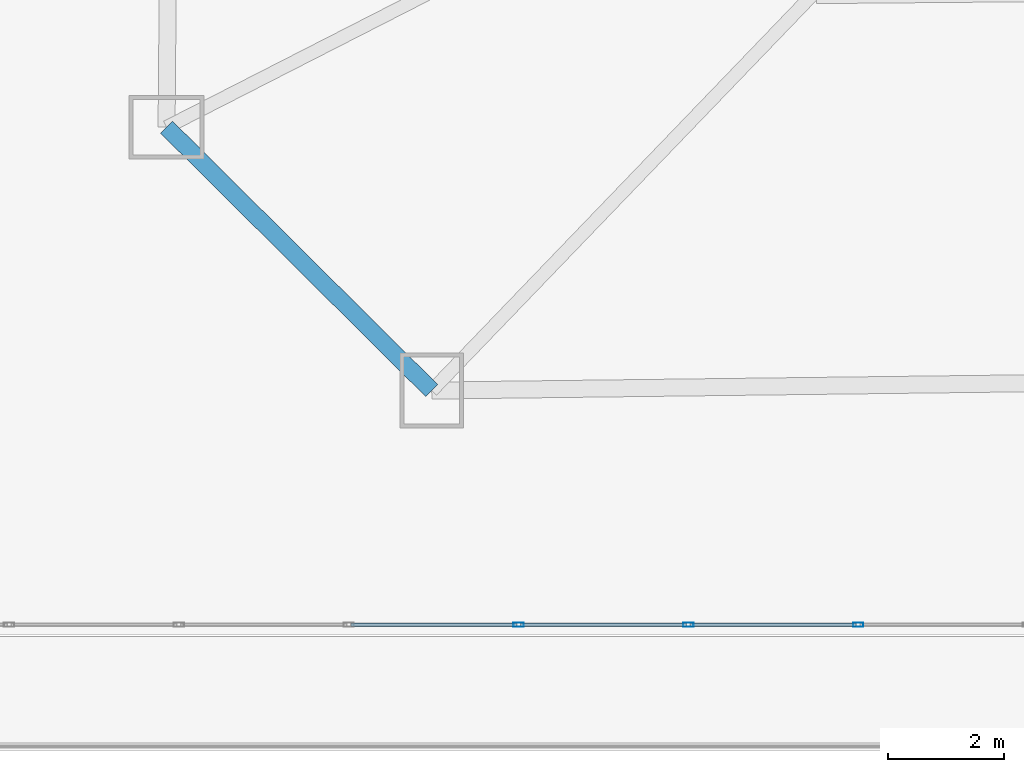
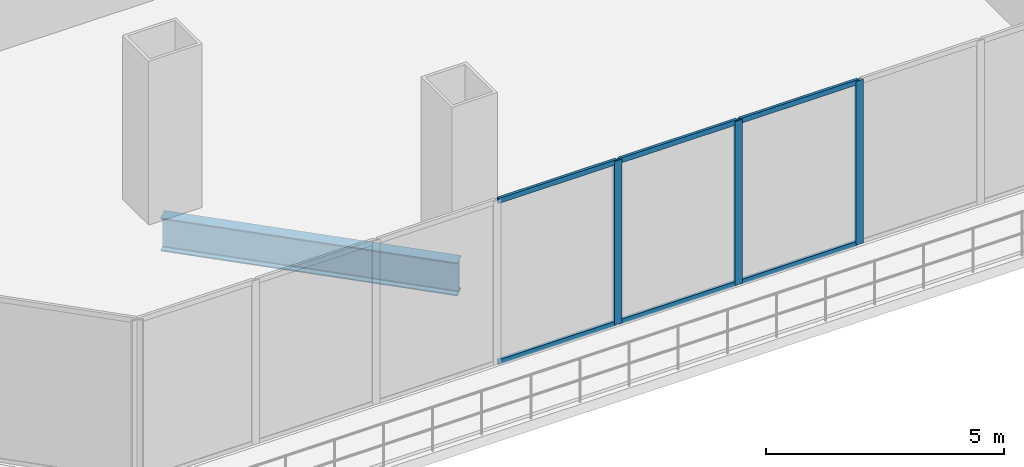
# One storey, part 3 of 31: 9 members, 1 beam, 1 element without a shape of its own.
"""IFC4 building model written with IfcOpenShell, lengths in metres."""

from ifc_helpers import new_model, si_unit, direction, frame, origin, origin_2d, place, context, subcontext, project, spatial, hollow_rectangle, i_section, extrude, material, layer, layer_set, material_profile, profile_set, type_object, element, aggregate, save


model = new_model("IFC4")

# Units and contexts
model_context = context("Model", 3, precision=1e-05, world=origin(), true_north=direction((0.0, 1.0)))
body_context = subcontext(model_context, "Body", "Model", "MODEL_VIEW")
ifc_project = project(units=[si_unit("LENGTHUNIT", "METRE"), si_unit("AREAUNIT", "SQUARE_METRE"), si_unit("VOLUMEUNIT", "CUBIC_METRE"), si_unit("PLANEANGLEUNIT", "RADIAN"), si_unit("MASSUNIT", "GRAM", prefix="KILO")], contexts=[model_context])

# Site, building, storey
site_placement = place(None, origin())
site = spatial("IfcSite", under=ifc_project, at=site_placement, CompositionType="ELEMENT")
building_placement = place(site_placement, origin())
building = spatial("IfcBuilding", under=site, at=building_placement, Name="Caelvoria Tower", CompositionType="ELEMENT")
storey_placement = place(building_placement, frame((0.0, 0.0, 9.5)))
storey = spatial("IfcBuildingStorey", under=building, at=storey_placement, Name="L02", CompositionType="ELEMENT", Elevation=9.5)

# Curtain wall, members
ifc_material_1 = material(Name="Anodised Bronze Aluminium and Low-E Glass", Category="aluminium")
ifc_layer = layer(ifc_material_1, 0.199951171875, Name="Anodised Bronze Aluminium and Low-E Glass")
ifc_layer_set = layer_set([ifc_layer], Name="CW System 1 Podium Arcade Unitised Glazing - Anodised Bronze Aluminium and Low-E Glass")
curtain_wall_type = type_object("IfcCurtainWallType", Name="CW System 1 Podium Arcade Unitised Glazing", PredefinedType="NOTDEFINED", material=ifc_layer_set)
curtain_wall_placement = place(storey_placement, origin())
curtain_wall = element("IfcCurtainWall", 1, at=curtain_wall_placement, inside=storey, type_object=curtain_wall_type, Name="CW-01 Curtain Wall L02-E0", PredefinedType="NOTDEFINED")
ifc_material_2 = material(Name="Anodised Bronze Architectural Aluminium", Category="aluminium")
ifc_material_profile_1 = material_profile(ifc_material_2, hollow_rectangle(XDim=0.070068359375, YDim=0.179931640625, WallThickness=0.00390625, at=origin_2d()), Name="Anodised Bronze Architectural Aluminium")
ifc_profile_set_1 = profile_set([ifc_material_profile_1], Name="CW_MULL_70X180 - Anodised Bronze Architectural Aluminium")
member_type_1 = type_object("IfcMemberType", Name="Curtain Wall Mullion 70x180 Bronze Aluminium", PredefinedType="MULLION", material=ifc_profile_set_1)
member_1_placement = place(storey_placement, frame((25.445556640625, 6.3798828125, 0.0), z_axis=(0.0, 0.0, 1.0), x_axis=(0.0, 1.0, 0.0)))
member_1 = element("IfcMember", 2, at=member_1_placement, type_object=member_type_1, Name="CW-01 mullion 5", PredefinedType="MULLION", context=body_context, shape_type="SweptSolid", body=[
    extrude(hollow_rectangle(XDim=0.070068359375, YDim=0.179931640625, WallThickness=0.00390625, at=origin_2d()), origin(), (0.0, 0.0, 1.0), 4.2099609375),
])
member_2_placement = place(storey_placement, frame((28.3818359375, 6.3798828125, 0.0), z_axis=(0.0, 0.0, 1.0), x_axis=(0.0, 1.0, 0.0)))
member_2 = element("IfcMember", 3, at=member_2_placement, type_object=member_type_1, Name="CW-01 mullion 6", PredefinedType="MULLION", context=body_context, shape_type="SweptSolid", body=[
    extrude(hollow_rectangle(XDim=0.070068359375, YDim=0.179931640625, WallThickness=0.00390625, at=origin_2d()), origin(), (0.0, 0.0, 1.0), 4.2099609375),
])
member_3_placement = place(storey_placement, frame((31.318115234375, 6.3798828125, 0.0), z_axis=(0.0, 0.0, 1.0), x_axis=(0.0, 1.0, 0.0)))
member_3 = element("IfcMember", 4, at=member_3_placement, type_object=member_type_1, Name="CW-01 mullion 7", PredefinedType="MULLION", context=body_context, shape_type="SweptSolid", body=[
    extrude(hollow_rectangle(XDim=0.070068359375, YDim=0.179931640625, WallThickness=0.00390625, at=origin_2d()), origin(), (0.0, 0.0, 1.0), 4.2099609375),
])
ifc_material_profile_2 = material_profile(ifc_material_2, hollow_rectangle(XDim=0.06494140625, YDim=0.1298828125, WallThickness=0.00341796875, at=origin_2d()), Name="Anodised Bronze Architectural Aluminium")
ifc_profile_set_2 = profile_set([ifc_material_profile_2], Name="CW_TRAN_65X130 - Anodised Bronze Architectural Aluminium")
member_type_2 = type_object("IfcMemberType", Name="Curtain Wall Transom 65x130 Bronze Aluminium", PredefinedType="USERDEFINED", material=ifc_profile_set_2)
member_4_placement = place(storey_placement, frame((22.544189453125, 6.3798828125, 0.032470703125), z_axis=(1.0, 0.0, 0.0), x_axis=(0.0, 1.0, 0.0)))
member_4 = element("IfcMember", 5, at=member_4_placement, type_object=member_type_2, Name="CW-01 transom 4.1", ObjectType="TRANSOM", PredefinedType="USERDEFINED", context=body_context, shape_type="SweptSolid", body=[
    extrude(hollow_rectangle(XDim=0.06494140625, YDim=0.1298828125, WallThickness=0.00341796875, at=origin_2d()), origin(), (0.0, 0.0, 1.0), 2.8662109375),
])
member_5_placement = place(storey_placement, frame((22.544189453125, 6.3798828125, 4.177490234375), z_axis=(1.0, 0.0, 0.0), x_axis=(0.0, 1.0, 0.0)))
member_5 = element("IfcMember", 6, at=member_5_placement, type_object=member_type_2, Name="CW-01 transom 4.2", ObjectType="TRANSOM", PredefinedType="USERDEFINED", context=body_context, shape_type="SweptSolid", body=[
    extrude(hollow_rectangle(XDim=0.06494140625, YDim=0.1298828125, WallThickness=0.00341796875, at=origin_2d()), origin(), (0.0, 0.0, 1.0), 2.8662109375),
])
member_6_placement = place(storey_placement, frame((25.48046875, 6.3798828125, 0.032470703125), z_axis=(1.0, 0.0, 0.0), x_axis=(0.0, 1.0, 0.0)))
member_6 = element("IfcMember", 7, at=member_6_placement, type_object=member_type_2, Name="CW-01 transom 5.1", ObjectType="TRANSOM", PredefinedType="USERDEFINED", context=body_context, shape_type="SweptSolid", body=[
    extrude(hollow_rectangle(XDim=0.06494140625, YDim=0.1298828125, WallThickness=0.00341796875, at=origin_2d()), origin(), (0.0, 0.0, 1.0), 2.866455078125),
])
member_7_placement = place(storey_placement, frame((25.48046875, 6.3798828125, 4.177490234375), z_axis=(1.0, 0.0, 0.0), x_axis=(0.0, 1.0, 0.0)))
member_7 = element("IfcMember", 8, at=member_7_placement, type_object=member_type_2, Name="CW-01 transom 5.2", ObjectType="TRANSOM", PredefinedType="USERDEFINED", context=body_context, shape_type="SweptSolid", body=[
    extrude(hollow_rectangle(XDim=0.06494140625, YDim=0.1298828125, WallThickness=0.00341796875, at=origin_2d()), origin(), (0.0, 0.0, 1.0), 2.866455078125),
])
member_8_placement = place(storey_placement, frame((28.416748046875, 6.3798828125, 0.032470703125), z_axis=(1.0, 0.0, 0.0), x_axis=(0.0, 1.0, 0.0)))
member_8 = element("IfcMember", 9, at=member_8_placement, type_object=member_type_2, Name="CW-01 transom 6.1", ObjectType="TRANSOM", PredefinedType="USERDEFINED", context=body_context, shape_type="SweptSolid", body=[
    extrude(hollow_rectangle(XDim=0.06494140625, YDim=0.1298828125, WallThickness=0.00341796875, at=origin_2d()), origin(), (0.0, 0.0, 1.0), 2.866455078125),
])
member_9_placement = place(storey_placement, frame((28.416748046875, 6.3798828125, 4.177490234375), z_axis=(1.0, 0.0, 0.0), x_axis=(0.0, 1.0, 0.0)))
member_9 = element("IfcMember", 10, at=member_9_placement, type_object=member_type_2, Name="CW-01 transom 6.2", ObjectType="TRANSOM", PredefinedType="USERDEFINED", context=body_context, shape_type="SweptSolid", body=[
    extrude(hollow_rectangle(XDim=0.06494140625, YDim=0.1298828125, WallThickness=0.00341796875, at=origin_2d()), origin(), (0.0, 0.0, 1.0), 2.866455078125),
])
aggregate(curtain_wall, [member_1, member_2, member_3, member_4, member_5, member_6, member_7, member_8, member_9])

# Beam
ifc_material_3 = material(Name="Structural Steel ASTM A992 Gr.50", Category="steel")
ifc_material_profile_3 = material_profile(ifc_material_3, i_section(OverallWidth=0.2939453125, OverallDepth=0.85107421875, WebThickness=0.01611328125, FlangeThickness=0.02685546875, FilletRadius=0.02197265625, at=origin_2d()), Name="Structural Steel ASTM A992 Gr.50")
ifc_profile_set_3 = profile_set([ifc_material_profile_3], Name="W840X226 - Structural Steel ASTM A992 Gr.50")
beam_type = type_object("IfcBeamType", Name="Podium Long-Span Girder W840X226", PredefinedType="BEAM", material=ifc_profile_set_3)
beam_placement = place(storey_placement, frame((19.3583984375, 14.984375, -0.70556640625), z_axis=(0.709407278283, -0.704798775197, 0.0), x_axis=(0.704798775197, 0.709407278283, 0.0)))
element("IfcBeam", 11, at=beam_placement, inside=storey, type_object=beam_type, Name="Perimeter Spandrel Girder L02-11", PredefinedType="BEAM", context=body_context, shape_type="SweptSolid", body=[
    extrude(i_section(OverallWidth=0.2939453125, OverallDepth=0.85107421875, WebThickness=0.01611328125, FlangeThickness=0.02685546875, FilletRadius=0.02197265625, at=origin_2d()), origin(), (0.0, 0.0, 1.0), 6.463134765625),
])

save(model, "model.ifc")
